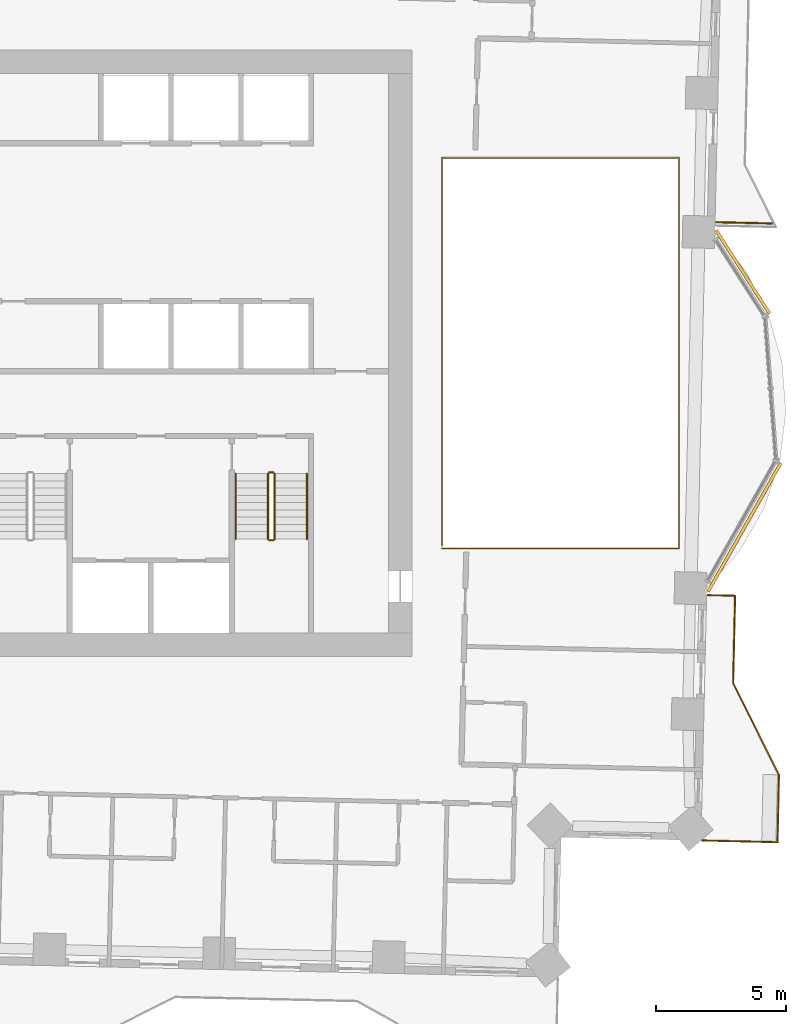
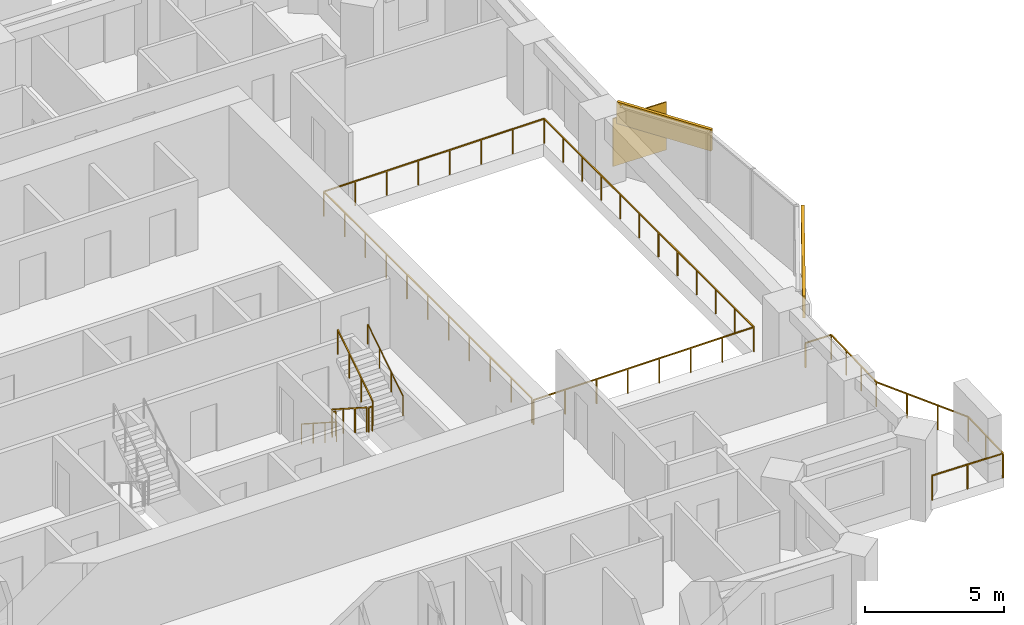
# One storey, part 14 of 15: 8 railings, 2 coverings, 1 shading device.
"""IFC4 building model written with IfcOpenShell, lengths in metres."""

from ifc_helpers import new_model, si_unit, direction, frame, frame_2d, origin, origin_2d, place, context, subcontext, project, spatial, rectangle, circle, extrude, material, layer, layer_set, type_object, element, save


model = new_model("IFC4")

# Units and contexts
model_context = context("Model", 3, precision=1e-05, world=origin(), true_north=direction((0.0, 1.0)))
body_context = subcontext(model_context, "Body", "Model", "MODEL_VIEW")
ifc_project = project(units=[si_unit("LENGTHUNIT", "METRE"), si_unit("AREAUNIT", "SQUARE_METRE"), si_unit("VOLUMEUNIT", "CUBIC_METRE"), si_unit("PLANEANGLEUNIT", "RADIAN"), si_unit("MASSUNIT", "GRAM", prefix="KILO")], contexts=[model_context])

# Site, building, storey
site_placement = place(None, origin())
site = spatial("IfcSite", under=ifc_project, at=site_placement, CompositionType="ELEMENT")
building_placement = place(site_placement, origin())
building = spatial("IfcBuilding", under=site, at=building_placement, Name="Mangrove Gate Tower", CompositionType="ELEMENT")
storey_placement = place(building_placement, frame((0.0, 0.0, 156.300048828125)))
storey = spatial("IfcBuildingStorey", under=building, at=storey_placement, Name="L39", CompositionType="ELEMENT", Elevation=156.300048828125)

# Railings
ifc_material_1 = material(Name="Stainless steel grade 316 with laminated glass infill", Category="steel")
railing_type_1 = type_object("IfcRailingType", Name="Balcony guard 1100", PredefinedType="GUARDRAIL", material=ifc_material_1)
railing_1_placement = place(storey_placement, frame((25.89697265625, -18.805908203125, 0.0)))
element("IfcRailing", 1, at=railing_1_placement, inside=storey, type_object=railing_type_1, Name="GUARD L39 E1", PredefinedType="GUARDRAIL", context=body_context, shape_type="SweptSolid", body=[
    extrude(rectangle(XDim=0.048095703125, YDim=0.048095703125, at=origin_2d()), frame((0.0, 0.0, 1.076171875), z_axis=(0.99974144554, -0.022738559105, 0.0), x_axis=(0.022738559105, 0.99974144554, 0.0)), (0.0, 0.0, 1.0), 2.90966796875),
    extrude(rectangle(XDim=0.048095703125, YDim=0.048095703125, at=origin_2d()), frame((2.908935546875, -0.066162109375, 1.076171875), z_axis=(0.022717140625, 0.999741932461, 0.0), x_axis=(-0.999741932461, 0.022717140625, 0.0)), (0.0, 0.0, 1.0), 2.600830078125),
    extrude(rectangle(XDim=0.048095703125, YDim=0.048095703125, at=origin_2d()), frame((2.968017578125, 2.533935546875, 1.076171875), z_axis=(-0.447114919141, 0.894476522376, 0.0), x_axis=(-0.894476522376, -0.447114919141, 0.0)), (0.0, 0.0, 1.0), 3.958740234375),
    extrude(rectangle(XDim=0.048095703125, YDim=0.048095703125, at=origin_2d()), frame((1.197998046875, 6.074951171875, 1.076171875), z_axis=(0.02285943746, 0.999738688918, 0.0), x_axis=(-0.999738688918, 0.02285943746, 0.0)), (0.0, 0.0, 1.0), 3.375),
    extrude(rectangle(XDim=0.048095703125, YDim=0.048095703125, at=origin_2d()), frame((1.275146484375, 9.448974609375, 1.076171875), z_axis=(-0.999765742531, 0.021643938231, 0.0), x_axis=(-0.021643938231, -0.999765742531, 0.0)), (0.0, 0.0, 1.0), 1.060302734375),
    extrude(rectangle(XDim=0.0419921875, YDim=0.0419921875, at=origin_2d()), origin(), (0.0, 0.0, 1.0), 1.052001953125),
    extrude(rectangle(XDim=0.0419921875, YDim=0.0419921875, at=origin_2d()), frame((1.45458984375, -0.033203125, 0.0)), (0.0, 0.0, 1.0), 1.052001953125),
    extrude(rectangle(XDim=0.0419921875, YDim=0.0419921875, at=origin_2d()), frame((2.908935546875, -0.066162109375, 0.0)), (0.0, 0.0, 1.0), 1.052001953125),
    extrude(rectangle(XDim=0.0419921875, YDim=0.0419921875, at=origin_2d()), frame((2.9384765625, 1.23388671875, 0.0)), (0.0, 0.0, 1.0), 1.052001953125),
    extrude(rectangle(XDim=0.0419921875, YDim=0.0419921875, at=origin_2d()), frame((2.968017578125, 2.533935546875, 0.0)), (0.0, 0.0, 1.0), 1.052001953125),
    extrude(rectangle(XDim=0.0419921875, YDim=0.0419921875, at=origin_2d()), frame((2.3779296875, 3.71435546875, 0.0)), (0.0, 0.0, 1.0), 1.052001953125),
    extrude(rectangle(XDim=0.0419921875, YDim=0.0419921875, at=origin_2d()), frame((1.7880859375, 4.89453125, 0.0)), (0.0, 0.0, 1.0), 1.052001953125),
    extrude(rectangle(XDim=0.0419921875, YDim=0.0419921875, at=origin_2d()), frame((1.197998046875, 6.074951171875, 0.0)), (0.0, 0.0, 1.0), 1.052001953125),
    extrude(rectangle(XDim=0.0419921875, YDim=0.0419921875, at=origin_2d()), frame((1.2236328125, 7.19970703125, 0.0)), (0.0, 0.0, 1.0), 1.052001953125),
    extrude(rectangle(XDim=0.0419921875, YDim=0.0419921875, at=origin_2d()), frame((1.24951171875, 8.32421875, 0.0)), (0.0, 0.0, 1.0), 1.052001953125),
    extrude(rectangle(XDim=0.0419921875, YDim=0.0419921875, at=origin_2d()), frame((1.275146484375, 9.448974609375, 0.0)), (0.0, 0.0, 1.0), 1.052001953125),
    extrude(rectangle(XDim=0.0419921875, YDim=0.0419921875, at=origin_2d()), frame((0.215087890625, 9.471923828125, 0.0)), (0.0, 0.0, 1.0), 1.052001953125),
])
railing_2_placement = place(storey_placement, frame((15.860107421875, -7.5400390625, 0.0)))
element("IfcRailing", 2, at=railing_2_placement, inside=storey, type_object=railing_type_1, Name="GUARD L39 atrium", PredefinedType="GUARDRAIL", context=body_context, shape_type="SweptSolid", body=[
    extrude(rectangle(XDim=0.048095703125, YDim=0.048095703125, at=origin_2d()), frame((0.0, 0.0, 1.076171875), z_axis=(1.0, 0.0, 0.0), x_axis=(0.0, 1.0, 0.0)), (0.0, 0.0, 1.0), 9.143798828125),
    extrude(rectangle(XDim=0.048095703125, YDim=0.048095703125, at=origin_2d()), frame((9.143798828125, 0.0, 1.076171875), z_axis=(0.0, 1.0, 0.0), x_axis=(-1.0, 0.0, 0.0)), (0.0, 0.0, 1.0), 15.080078125),
    extrude(rectangle(XDim=0.048095703125, YDim=0.048095703125, at=origin_2d()), frame((9.143798828125, 15.080078125, 1.076171875), z_axis=(-1.0, 0.0, 0.0), x_axis=(0.0, -1.0, 0.0)), (0.0, 0.0, 1.0), 9.143798828125),
    extrude(rectangle(XDim=0.048095703125, YDim=0.048095703125, at=origin_2d()), frame((0.0, 15.080078125, 1.076171875), z_axis=(0.0, -1.0, 0.0), x_axis=(1.0, 0.0, 0.0)), (0.0, 0.0, 1.0), 14.9599609375),
    extrude(rectangle(XDim=0.0419921875, YDim=0.0419921875, at=origin_2d()), origin(), (0.0, 0.0, 1.0), 1.052001953125),
    extrude(rectangle(XDim=0.0419921875, YDim=0.0419921875, at=origin_2d()), frame((1.30615234375, 0.0, 0.0)), (0.0, 0.0, 1.0), 1.052001953125),
    extrude(rectangle(XDim=0.0419921875, YDim=0.0419921875, at=origin_2d()), frame((2.612548828125, 0.0, 0.0)), (0.0, 0.0, 1.0), 1.052001953125),
    extrude(rectangle(XDim=0.0419921875, YDim=0.0419921875, at=origin_2d()), frame((3.918701171875, 0.0, 0.0)), (0.0, 0.0, 1.0), 1.052001953125),
    extrude(rectangle(XDim=0.0419921875, YDim=0.0419921875, at=origin_2d()), frame((5.22509765625, 0.0, 0.0)), (0.0, 0.0, 1.0), 1.052001953125),
    extrude(rectangle(XDim=0.0419921875, YDim=0.0419921875, at=origin_2d()), frame((6.53125, 0.0, 0.0)), (0.0, 0.0, 1.0), 1.052001953125),
    extrude(rectangle(XDim=0.0419921875, YDim=0.0419921875, at=origin_2d()), frame((7.837646484375, 0.0, 0.0)), (0.0, 0.0, 1.0), 1.052001953125),
    extrude(rectangle(XDim=0.0419921875, YDim=0.0419921875, at=origin_2d()), frame((9.143798828125, 0.0, 0.0)), (0.0, 0.0, 1.0), 1.052001953125),
    extrude(rectangle(XDim=0.0419921875, YDim=0.0419921875, at=origin_2d()), frame((9.143798828125, 1.370849609375, 0.0)), (0.0, 0.0, 1.0), 1.052001953125),
    extrude(rectangle(XDim=0.0419921875, YDim=0.0419921875, at=origin_2d()), frame((9.143798828125, 2.741943359375, 0.0)), (0.0, 0.0, 1.0), 1.052001953125),
    extrude(rectangle(XDim=0.0419921875, YDim=0.0419921875, at=origin_2d()), frame((9.143798828125, 4.11279296875, 0.0)), (0.0, 0.0, 1.0), 1.052001953125),
    extrude(rectangle(XDim=0.0419921875, YDim=0.0419921875, at=origin_2d()), frame((9.143798828125, 5.483642578125, 0.0)), (0.0, 0.0, 1.0), 1.052001953125),
    extrude(rectangle(XDim=0.0419921875, YDim=0.0419921875, at=origin_2d()), frame((9.143798828125, 6.8544921875, 0.0)), (0.0, 0.0, 1.0), 1.052001953125),
    extrude(rectangle(XDim=0.0419921875, YDim=0.0419921875, at=origin_2d()), frame((9.143798828125, 8.2255859375, 0.0)), (0.0, 0.0, 1.0), 1.052001953125),
    extrude(rectangle(XDim=0.0419921875, YDim=0.0419921875, at=origin_2d()), frame((9.143798828125, 9.596435546875, 0.0)), (0.0, 0.0, 1.0), 1.052001953125),
    extrude(rectangle(XDim=0.0419921875, YDim=0.0419921875, at=origin_2d()), frame((9.143798828125, 10.96728515625, 0.0)), (0.0, 0.0, 1.0), 1.052001953125),
    extrude(rectangle(XDim=0.0419921875, YDim=0.0419921875, at=origin_2d()), frame((9.143798828125, 12.338134765625, 0.0)), (0.0, 0.0, 1.0), 1.052001953125),
    extrude(rectangle(XDim=0.0419921875, YDim=0.0419921875, at=origin_2d()), frame((9.143798828125, 13.709228515625, 0.0)), (0.0, 0.0, 1.0), 1.052001953125),
    extrude(rectangle(XDim=0.0419921875, YDim=0.0419921875, at=origin_2d()), frame((9.143798828125, 15.080078125, 0.0)), (0.0, 0.0, 1.0), 1.052001953125),
    extrude(rectangle(XDim=0.0419921875, YDim=0.0419921875, at=origin_2d()), frame((7.837646484375, 15.080078125, 0.0)), (0.0, 0.0, 1.0), 1.052001953125),
    extrude(rectangle(XDim=0.0419921875, YDim=0.0419921875, at=origin_2d()), frame((6.53125, 15.080078125, 0.0)), (0.0, 0.0, 1.0), 1.052001953125),
    extrude(rectangle(XDim=0.0419921875, YDim=0.0419921875, at=origin_2d()), frame((5.22509765625, 15.080078125, 0.0)), (0.0, 0.0, 1.0), 1.052001953125),
    extrude(rectangle(XDim=0.0419921875, YDim=0.0419921875, at=origin_2d()), frame((3.918701171875, 15.080078125, 0.0)), (0.0, 0.0, 1.0), 1.052001953125),
    extrude(rectangle(XDim=0.0419921875, YDim=0.0419921875, at=origin_2d()), frame((2.612548828125, 15.080078125, 0.0)), (0.0, 0.0, 1.0), 1.052001953125),
    extrude(rectangle(XDim=0.0419921875, YDim=0.0419921875, at=origin_2d()), frame((1.30615234375, 15.080078125, 0.0)), (0.0, 0.0, 1.0), 1.052001953125),
    extrude(rectangle(XDim=0.0419921875, YDim=0.0419921875, at=origin_2d()), frame((0.0, 15.080078125, 0.0)), (0.0, 0.0, 1.0), 1.052001953125),
    extrude(rectangle(XDim=0.0419921875, YDim=0.0419921875, at=origin_2d()), frame((0.0, 13.583984375, 0.0)), (0.0, 0.0, 1.0), 1.052001953125),
    extrude(rectangle(XDim=0.0419921875, YDim=0.0419921875, at=origin_2d()), frame((0.0, 12.088134765625, 0.0)), (0.0, 0.0, 1.0), 1.052001953125),
    extrude(rectangle(XDim=0.0419921875, YDim=0.0419921875, at=origin_2d()), frame((0.0, 10.592041015625, 0.0)), (0.0, 0.0, 1.0), 1.052001953125),
    extrude(rectangle(XDim=0.0419921875, YDim=0.0419921875, at=origin_2d()), frame((0.0, 9.09619140625, 0.0)), (0.0, 0.0, 1.0), 1.052001953125),
    extrude(rectangle(XDim=0.0419921875, YDim=0.0419921875, at=origin_2d()), frame((0.0, 7.60009765625, 0.0)), (0.0, 0.0, 1.0), 1.052001953125),
    extrude(rectangle(XDim=0.0419921875, YDim=0.0419921875, at=origin_2d()), frame((0.0, 6.10400390625, 0.0)), (0.0, 0.0, 1.0), 1.052001953125),
    extrude(rectangle(XDim=0.0419921875, YDim=0.0419921875, at=origin_2d()), frame((0.0, 4.608154296875, 0.0)), (0.0, 0.0, 1.0), 1.052001953125),
    extrude(rectangle(XDim=0.0419921875, YDim=0.0419921875, at=origin_2d()), frame((0.0, 3.112060546875, 0.0)), (0.0, 0.0, 1.0), 1.052001953125),
    extrude(rectangle(XDim=0.0419921875, YDim=0.0419921875, at=origin_2d()), frame((0.0, 1.6162109375, 0.0)), (0.0, 0.0, 1.0), 1.052001953125),
    extrude(rectangle(XDim=0.0419921875, YDim=0.0419921875, at=origin_2d()), frame((0.0, 0.1201171875, 0.0)), (0.0, 0.0, 1.0), 1.052001953125),
])

# Shading device
ifc_material_2 = material(Name="Timber slat screen in teak", Category="wood")
shading_device_type = type_object("IfcShadingDeviceType", Name="Balcony screen 2100", PredefinedType="USERDEFINED", material=ifc_material_2)
shading_device_placement = place(storey_placement, frame((27.51611328125, 5.029052734375, 0.0), z_axis=(0.0, 0.0, 1.0), x_axis=(0.999745767327, -0.02254774295, 0.0)))
element("IfcShadingDevice", 3, at=shading_device_placement, inside=storey, type_object=shading_device_type, Name="SCREEN L39 E1", ObjectType="SCREEN", PredefinedType="USERDEFINED", context=body_context, shape_type="SweptSolid", body=[
    extrude(rectangle(XDim=2.196044921875, YDim=0.050048828125, at=origin_2d()), origin(), (0.0, 0.0, 1.0), 2.10009765625),
])

# Railings
ifc_material_3 = material(Name="Stainless steel 316", Category="steel")
railing_type_2 = type_object("IfcRailingType", Name="Core stair guard 1100", PredefinedType="GUARDRAIL", material=ifc_material_3)
railing_3_placement = place(storey_placement, frame((9.14990234375, -4.64990234375, 0.179931640625)))
element("IfcRailing", 4, at=railing_3_placement, inside=storey, type_object=railing_type_2, Name="L39 ST3 stair guard 1", PredefinedType="GUARDRAIL", context=body_context, shape_type="SweptSolid", body=[
    extrude(rectangle(XDim=0.048095703125, YDim=0.048095703125, at=origin_2d()), frame((0.0, 0.0, 1.076171875), z_axis=(0.0, -0.841162588446, 0.540782303519), x_axis=(1.0, 0.0, 0.0)), (0.0, 0.0, 1.0), 2.995849609375),
    extrude(rectangle(XDim=0.0419921875, YDim=0.0419921875, at=origin_2d()), origin(), (0.0, 0.0, 1.0), 1.052001953125),
    extrude(rectangle(XDim=0.0419921875, YDim=0.0419921875, at=origin_2d()), frame((0.0, -0.840087890625, 0.5400390625)), (0.0, 0.0, 1.0), 1.052001953125),
    extrude(rectangle(XDim=0.0419921875, YDim=0.0419921875, at=origin_2d()), frame((0.0, -1.679931640625, 1.080078125)), (0.0, 0.0, 1.0), 1.052001953125),
    extrude(rectangle(XDim=0.0419921875, YDim=0.0419921875, at=origin_2d()), frame((0.0, -2.52001953125, 1.6201171875)), (0.0, 0.0, 1.0), 1.052001953125),
])
railing_4_placement = place(storey_placement, frame((9.199951171875, -7.219970703125, 1.800048828125)))
element("IfcRailing", 5, at=railing_4_placement, inside=storey, type_object=railing_type_2, Name="L39 ST3 stair guard 2", PredefinedType="GUARDRAIL", context=body_context, shape_type="SweptSolid", body=[
    extrude(rectangle(XDim=0.048095703125, YDim=0.048095703125, at=origin_2d()), frame((0.0, 0.0, 1.076171875), z_axis=(1.0, 0.0, 0.0), x_axis=(0.0, 1.0, 0.0)), (0.0, 0.0, 1.0), 0.150146484375),
    extrude(rectangle(XDim=0.0419921875, YDim=0.0419921875, at=origin_2d()), origin(), (0.0, 0.0, 1.0), 1.052001953125),
    extrude(rectangle(XDim=0.0419921875, YDim=0.0419921875, at=origin_2d()), frame((0.150146484375, 0.0, 0.0)), (0.0, 0.0, 1.0), 1.052001953125),
])
railing_5_placement = place(storey_placement, frame((9.39990234375, -7.169921875, 1.97998046875)))
element("IfcRailing", 6, at=railing_5_placement, inside=storey, type_object=railing_type_2, Name="L39 ST3 stair guard 3", PredefinedType="GUARDRAIL", context=body_context, shape_type="SweptSolid", body=[
    extrude(rectangle(XDim=0.048095703125, YDim=0.048095703125, at=origin_2d()), frame((0.0, 0.0, 1.076171875), z_axis=(0.0, 0.841199657755, 0.540724639528), x_axis=(-1.0, 0.0, 0.0)), (0.0, 0.0, 1.0), 2.995849609375),
    extrude(rectangle(XDim=0.0419921875, YDim=0.0419921875, at=origin_2d()), origin(), (0.0, 0.0, 1.0), 1.052001953125),
    extrude(rectangle(XDim=0.0419921875, YDim=0.0419921875, at=origin_2d()), frame((0.0, 0.840087890625, 0.5400390625)), (0.0, 0.0, 1.0), 1.052001953125),
    extrude(rectangle(XDim=0.0419921875, YDim=0.0419921875, at=origin_2d()), frame((0.0, 1.679931640625, 1.079833984375)), (0.0, 0.0, 1.0), 1.052001953125),
    extrude(rectangle(XDim=0.0419921875, YDim=0.0419921875, at=origin_2d()), frame((0.0, 2.52001953125, 1.619873046875)), (0.0, 0.0, 1.0), 1.052001953125),
])
railing_6_placement = place(storey_placement, frame((9.199951171875, -4.60009765625, 0.0)))
element("IfcRailing", 7, at=railing_6_placement, inside=storey, type_object=railing_type_2, Name="L39 ST3 stair guard 4", PredefinedType="GUARDRAIL", context=body_context, shape_type="SweptSolid", body=[
    extrude(rectangle(XDim=0.048095703125, YDim=0.048095703125, at=origin_2d()), frame((0.0, 0.0, 1.076171875), z_axis=(1.0, 0.0, 0.0), x_axis=(0.0, 1.0, 0.0)), (0.0, 0.0, 1.0), 0.150146484375),
    extrude(rectangle(XDim=0.0419921875, YDim=0.0419921875, at=origin_2d()), origin(), (0.0, 0.0, 1.0), 1.052001953125),
    extrude(rectangle(XDim=0.0419921875, YDim=0.0419921875, at=origin_2d()), frame((0.150146484375, 0.0, 0.0)), (0.0, 0.0, 1.0), 1.052001953125),
])
ifc_material_4 = material(Name="Stainless steel 316", Category="steel")
railing_type_3 = type_object("IfcRailingType", Name="Core stair handrail 900", PredefinedType="HANDRAIL", material=ifc_material_4)
railing_7_placement = place(storey_placement, frame((7.89990234375, -4.64990234375, 0.179931640625)))
element("IfcRailing", 8, at=railing_7_placement, inside=storey, type_object=railing_type_3, Name="L39 ST3 stair handrail 1", PredefinedType="HANDRAIL", context=body_context, shape_type="SweptSolid", body=[
    extrude(circle(Radius=0.02392578125, at=origin_2d()), frame((0.0, 0.0, 0.8759765625), z_axis=(0.0, -0.841162588446, 0.540782303519), x_axis=(1.0, 0.0, 0.0)), (0.0, 0.0, 1.0), 2.995849609375),
    extrude(circle(Radius=0.02099609375, at=origin_2d()), origin(), (0.0, 0.0, 1.0), 0.851806640625),
    extrude(circle(Radius=0.02099609375, at=origin_2d()), frame((0.0, -0.840087890625, 0.5400390625)), (0.0, 0.0, 1.0), 0.851806640625),
    extrude(circle(Radius=0.02099609375, at=origin_2d()), frame((0.0, -1.679931640625, 1.080078125)), (0.0, 0.0, 1.0), 0.851806640625),
    extrude(circle(Radius=0.02099609375, at=origin_2d()), frame((0.0, -2.52001953125, 1.6201171875)), (0.0, 0.0, 1.0), 0.851806640625),
])
railing_8_placement = place(storey_placement, frame((10.64990234375, -7.169921875, 1.97998046875)))
element("IfcRailing", 9, at=railing_8_placement, inside=storey, type_object=railing_type_3, Name="L39 ST3 stair handrail 2", PredefinedType="HANDRAIL", context=body_context, shape_type="SweptSolid", body=[
    extrude(circle(Radius=0.02392578125, at=origin_2d()), frame((0.0, 0.0, 0.8759765625), z_axis=(0.0, 0.841199657755, 0.540724639528), x_axis=(-1.0, 0.0, 0.0)), (0.0, 0.0, 1.0), 2.995849609375),
    extrude(circle(Radius=0.02099609375, at=origin_2d()), origin(), (0.0, 0.0, 1.0), 0.851806640625),
    extrude(circle(Radius=0.02099609375, at=origin_2d()), frame((0.0, 0.840087890625, 0.5400390625)), (0.0, 0.0, 1.0), 0.851806640625),
    extrude(circle(Radius=0.02099609375, at=origin_2d()), frame((0.0, 1.679931640625, 1.079833984375)), (0.0, 0.0, 1.0), 0.851806640625),
    extrude(circle(Radius=0.02099609375, at=origin_2d()), frame((0.0, 2.52001953125, 1.619873046875)), (0.0, 0.0, 1.0), 0.851806640625),
])

# Coverings
ifc_material_5 = material(Name="Limestone", Category="masonry")
ifc_layer_1 = layer(ifc_material_5, 0.0400390625, Name="Limestone cladding")
ifc_material_6 = material(Name="Stainless steel anchors and cavity", Category="steel")
ifc_layer_2 = layer(ifc_material_6, 0.080078125, Name="Fixing cavity")
ifc_layer_set = layer_set([ifc_layer_1, ifc_layer_2], Name="Joint fascia cladding 120")
covering_type = type_object("IfcCoveringType", Name="Joint fascia cladding 120", PredefinedType="CLADDING", material=ifc_layer_set)
covering_1_placement = place(storey_placement, frame((26.125, -9.208984375, 2.099853515625), z_axis=(0.0, 0.0, 1.0), x_axis=(0.492475934062, 0.870326062099, 0.0)))
element("IfcCovering", 10, at=covering_1_placement, inside=storey, type_object=covering_type, Name="STONE FASCIA L39 E1.L1", PredefinedType="CLADDING", context=body_context, shape_type="SweptSolid", body=[
    extrude(rectangle(XDim=5.7060546875, YDim=0.1201171875, at=frame_2d((2.85302734375, 0.0))), origin(), (0.0, 0.0, 1.0), 0.9501953125),
])
covering_2_placement = place(storey_placement, frame((28.5, 1.530029296875, 2.099853515625), z_axis=(0.0, 0.0, 1.0), x_axis=(-0.540486138148, 0.841352919095, 0.0)))
element("IfcCovering", 11, at=covering_2_placement, inside=storey, type_object=covering_type, Name="STONE FASCIA L39 E1.L2", PredefinedType="CLADDING", context=body_context, shape_type="SweptSolid", body=[
    extrude(rectangle(XDim=3.818603515625, YDim=0.1201171875, at=frame_2d((1.9091796875, 0.0))), origin(), (0.0, 0.0, 1.0), 0.9501953125),
])

save(model, "model.ifc")
